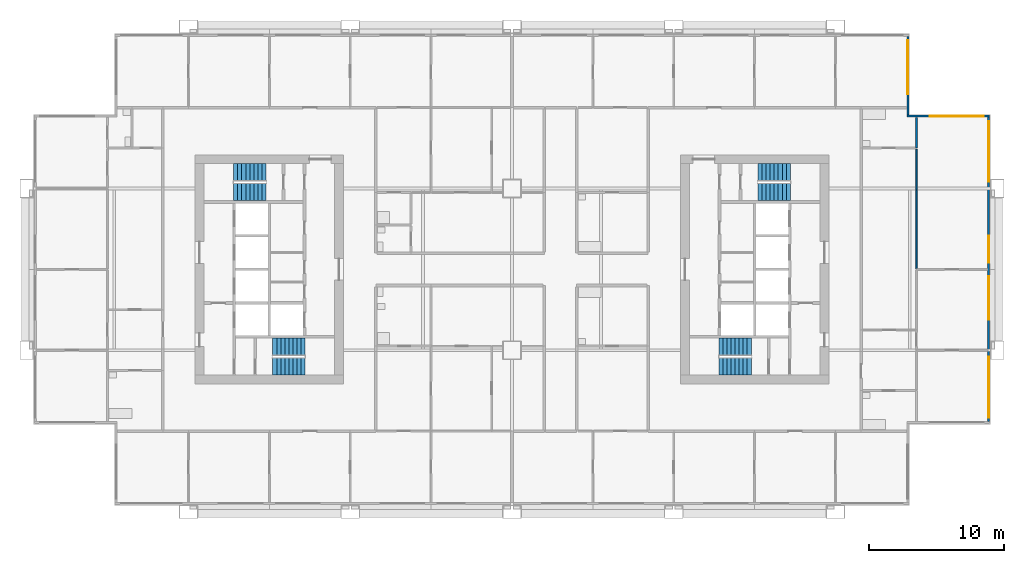
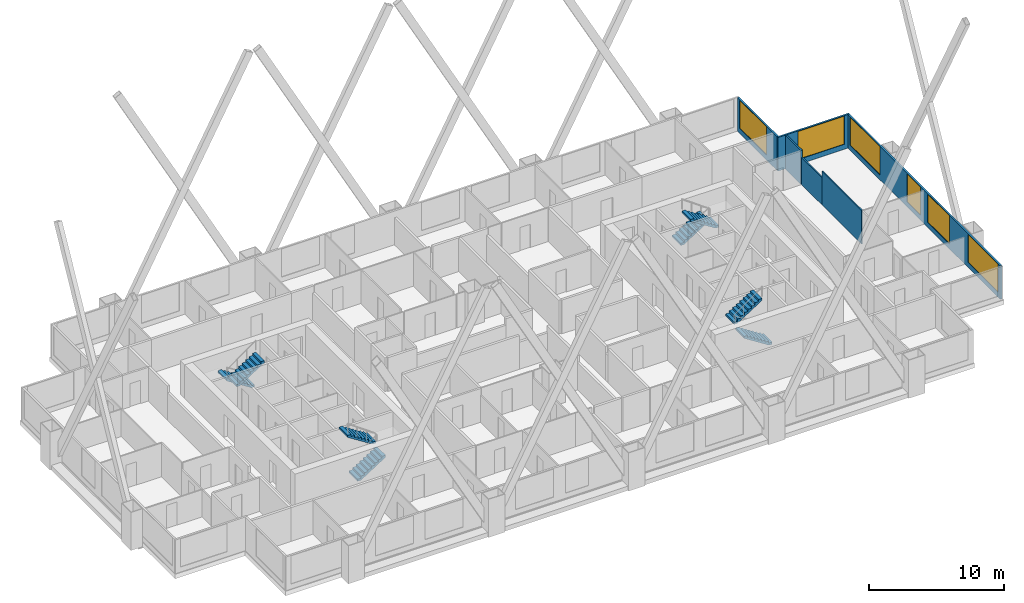
# One storey, part 9 of 11: 8 stair flights, 6 walls, 6 windows, 6 openings, 4 elements without a shape of their own.
"""IFC4 building model written with IfcOpenShell, lengths in metres."""

import ifcopenshell
import ifcopenshell.guid

model = None  # the IFC model being written
_history = None  # IfcOwnerHistory: only IFC2X3 demands one
_inside = {}  # id of a spatial element -> (the spatial element, [elements in it])
_under = {}  # id of a project, library or spatial element -> (it, [spatial elements below it])
_declared = {}  # id of a project -> (the project, [libraries it declares])
_typed = {}  # id of a type object -> (the type object, [elements of that type])
_made_of = {}  # id of a material, layer set ... -> (it, [elements and type objects made of it])


def new_model(schema):
    """Start an empty IFC model of exactly this schema.

    Asked for "IFC4X3", IfcOpenShell would pick the latest addendum, in which some entities
    have other attributes; the version numbers below select the first issue.
    IFC2X3 requires an IfcOwnerHistory on every rooted entity: one is made here for all.
    """
    global model, _history
    if schema == "IFC4X3":
        model = ifcopenshell.file(schema_version=(4, 3, 0, 0))
    else:
        model = ifcopenshell.file(schema=schema)
    _inside.clear()
    _under.clear()
    _declared.clear()
    _typed.clear()
    _made_of.clear()
    _history = None
    if model.schema == "IFC2X3":
        org = make("IfcOrganization", Name="unknown")
        user = make(
            "IfcPersonAndOrganization",
            ThePerson=make("IfcPerson", FamilyName="unknown"),
            TheOrganization=org,
        )
        app = make(
            "IfcApplication",
            ApplicationDeveloper=org,
            Version="unknown",
            ApplicationFullName="unknown",
            ApplicationIdentifier="unknown",
        )
        _history = make(
            "IfcOwnerHistory",
            OwningUser=user,
            OwningApplication=app,
            ChangeAction="ADDED",
            CreationDate=0,
        )
    return model


def make(cls, **values):
    """One entity of the class cls with the attributes given. An attribute that is None is left unset."""
    return model.create_entity(
        cls, **{name: value for name, value in values.items() if value is not None}
    )


def rooted(cls, **values):
    """An entity with a GlobalId (a new one), such as an element, a storey or a relation."""
    return make(cls, GlobalId=ifcopenshell.guid.new(), OwnerHistory=_history, **values)


def si_unit(unit_type, name, prefix=None):
    """IfcSIUnit, for example si_unit("LENGTHUNIT", "METRE", prefix="MILLI")."""
    return make("IfcSIUnit", UnitType=unit_type, Prefix=prefix, Name=name)


def assignment(units):
    """IfcUnitAssignment: the units of a project."""
    return None if units is None else make("IfcUnitAssignment", Units=units)


def point(xyz):
    """IfcCartesianPoint."""
    return None if xyz is None else make("IfcCartesianPoint", Coordinates=xyz)


def direction(xyz):
    """IfcDirection."""
    return None if xyz is None else make("IfcDirection", DirectionRatios=xyz)


def frame(location, z_axis=None, x_axis=None):
    """IfcAxis2Placement3D, a coordinate frame: its origin and axes. An axis left out is left unset."""
    return make(
        "IfcAxis2Placement3D",
        Location=point(location),
        Axis=direction(z_axis),
        RefDirection=direction(x_axis),
    )


def frame_2d(location, x_axis=None):
    """IfcAxis2Placement2D, a coordinate frame in the plane: its origin and x axis."""
    return make(
        "IfcAxis2Placement2D", Location=point(location), RefDirection=direction(x_axis)
    )


def origin():
    """The frame at (0, 0, 0) with its axes left unset."""
    return frame((0.0, 0.0, 0.0))


def place(relative_to, where):
    """IfcLocalPlacement: puts the frame where relative to a parent placement (None: the world)."""
    return make(
        "IfcLocalPlacement", PlacementRelTo=relative_to, RelativePlacement=where
    )


def context(
    kind, dimensions, precision=None, world=None, true_north=None, identifier=None
):
    """IfcGeometricRepresentationContext, for example the 3D "Model" context."""
    return make(
        "IfcGeometricRepresentationContext",
        ContextIdentifier=identifier,
        ContextType=kind,
        CoordinateSpaceDimension=dimensions,
        Precision=precision,
        WorldCoordinateSystem=world,
        TrueNorth=true_north,
    )


def subcontext(parent, identifier, kind, view, scale=None):
    """IfcGeometricRepresentationSubContext, for example "Body" below "Model"."""
    return make(
        "IfcGeometricRepresentationSubContext",
        ContextIdentifier=identifier,
        ContextType=kind,
        ParentContext=parent,
        TargetScale=scale,
        TargetView=view,
    )


def project(units=None, contexts=None):
    """IfcProject with its units and contexts."""
    return rooted(
        "IfcProject",
        Name="project",
        RepresentationContexts=contexts,
        UnitsInContext=assignment(units),
    )


def spatial(cls, under=None, at=None, **own):
    """A site, building, storey or space (cls), placed at a placement, below another one or the project."""
    s = rooted(cls, ObjectPlacement=at, **own)
    if under is not None:
        _under.setdefault(under.id(), (under, []))[1].append(s)
    return s


def polyline(points):
    """IfcPolyline through the points."""
    return make("IfcPolyline", Points=[point(p) for p in points])


def profile(cls, at=None, kind="AREA", **sizes):
    """A parametric profile (cls). Its sizes go by their IFC names, for example OverallWidth=200.0."""
    return make(cls, ProfileType=kind, Position=at, **sizes)


def rectangle(**sizes):
    """IfcRectangleProfileDef."""
    return profile("IfcRectangleProfileDef", **sizes)


def outline(outer, holes=None, kind="AREA"):
    """IfcArbitraryClosedProfileDef: a profile drawn as a closed curve; with holes, ...WithVoids."""
    if holes is None:
        return make("IfcArbitraryClosedProfileDef", ProfileType=kind, OuterCurve=outer)
    return make(
        "IfcArbitraryProfileDefWithVoids",
        ProfileType=kind,
        OuterCurve=outer,
        InnerCurves=holes,
    )


def extrude(swept, where, along, depth):
    """IfcExtrudedAreaSolid: the profile swept, set in the frame where, extruded along a direction by depth."""
    return make(
        "IfcExtrudedAreaSolid",
        SweptArea=swept,
        Position=where,
        ExtrudedDirection=direction(along),
        Depth=depth,
    )


def shape(context_of_items, identifier, shape_type, items):
    """IfcShapeRepresentation: the items that make up one representation, for example the "Body"."""
    return make(
        "IfcShapeRepresentation",
        ContextOfItems=context_of_items,
        RepresentationIdentifier=identifier,
        RepresentationType=shape_type,
        Items=items,
    )


def material(Name=None, Category=None):
    """IfcMaterial."""
    return make("IfcMaterial", Name=Name, Category=Category)


def layer(
    of_material, thickness, ventilated=None, Name=None, Category=None, Priority=None
):
    """IfcMaterialLayer: one layer of a wall or slab, of a material (None: an air gap)."""
    return make(
        "IfcMaterialLayer",
        Material=of_material,
        LayerThickness=thickness,
        IsVentilated=ventilated,
        Name=Name,
        Category=Category,
        Priority=Priority,
    )


def layer_set(layers, Name=None):
    """IfcMaterialLayerSet."""
    return make("IfcMaterialLayerSet", MaterialLayers=layers, LayerSetName=Name)


def made_of(thing, what):
    """Note that an element or type object is made of a material, layer set ...; save() writes the relation."""
    if what is not None:
        _made_of.setdefault(what.id(), (what, []))[1].append(thing)
    return thing


def type_object(cls, material=None, **own):
    """A type object (cls), such as IfcWallType, which elements share."""
    return made_of(rooted(cls, **own), material)


def element(
    cls,
    number,
    at=None,
    inside=None,
    cuts=None,
    type_object=None,
    material=None,
    context=None,
    identifier="Body",
    shape_type=None,
    held_by="IfcProductDefinitionShape",
    body=None,
    shapes=None,
    **own,
):
    """One element of the class cls, such as IfcWall. Its Tag is "e" and its number.

    at: its placement. inside: the storey or other place that contains it. cuts: it is an
    opening in that element (IfcRelVoidsElement). A single representation is given by context,
    identifier, shape_type and body (its items); several are given by shapes. held_by: the class
    of the entity that holds the representations. save() writes the other relations.
    """
    e = rooted(cls, Tag="e%d" % number, ObjectPlacement=at, **own)
    if body is not None:
        shapes = [shape(context, identifier, shape_type, body)]
    if shapes is not None:
        e.Representation = make(held_by, Representations=shapes)
    if inside is not None:
        _inside.setdefault(inside.id(), (inside, []))[1].append(e)
    if cuts is not None:
        rooted(
            "IfcRelVoidsElement", RelatingBuildingElement=cuts, RelatedOpeningElement=e
        )
    if type_object is not None:
        _typed.setdefault(type_object.id(), (type_object, []))[1].append(e)
    return made_of(e, material)


def fill(opening, filler):
    """IfcRelFillsElement: the door or window that sits in an opening."""
    return rooted(
        "IfcRelFillsElement",
        RelatingOpeningElement=opening,
        RelatedBuildingElement=filler,
    )


def aggregate(whole, parts):
    """IfcRelAggregates: a whole, such as a stair, and the parts it consists of."""
    return rooted("IfcRelAggregates", RelatingObject=whole, RelatedObjects=parts)


def save(model, path):
    """Write the relations noted so far, then the file.

    IfcRelAggregates (storeys below a building ...), IfcRelContainedInSpatialStructure (elements
    in a storey), IfcRelDefinesByType, IfcRelAssociatesMaterial and IfcRelDeclares: one each for
    every whole, place, type object, material and project.
    """
    for whole, parts in _under.values():
        aggregate(whole, parts)
    for where, things in _inside.values():
        rooted(
            "IfcRelContainedInSpatialStructure",
            RelatedElements=things,
            RelatingStructure=where,
        )
    for kind, things in _typed.values():
        rooted("IfcRelDefinesByType", RelatedObjects=things, RelatingType=kind)
    for what, things in _made_of.values():
        rooted("IfcRelAssociatesMaterial", RelatedObjects=things, RelatingMaterial=what)
    for by, libraries in _declared.values():
        rooted("IfcRelDeclares", RelatingContext=by, RelatedDefinitions=libraries)
    model.write(path)


model = new_model("IFC4")

# Units and contexts
model_context = context("Model", 3, precision=1e-05, world=origin(), true_north=direction((0.0, 1.0)))
body_context = subcontext(model_context, "Body", "Model", "MODEL_VIEW")
ifc_project = project(units=[si_unit("LENGTHUNIT", "METRE"), si_unit("AREAUNIT", "SQUARE_METRE"), si_unit("VOLUMEUNIT", "CUBIC_METRE"), si_unit("PLANEANGLEUNIT", "RADIAN"), si_unit("MASSUNIT", "GRAM", prefix="KILO")], contexts=[model_context])

# Site, building, storey
site_placement = place(None, origin())
site = spatial("IfcSite", under=ifc_project, at=site_placement, CompositionType="ELEMENT")
building_placement = place(site_placement, origin())
building = spatial("IfcBuilding", under=site, at=building_placement, Name="Kitamizu Gate Tower and Museum", CompositionType="ELEMENT")
storey_placement = place(building_placement, frame((0.0, 0.0, 131.10009765625)))
storey = spatial("IfcBuildingStorey", under=building, at=storey_placement, Name="L34", CompositionType="ELEMENT", Elevation=131.10009765625)

# Walls
ifc_material_1 = material(Name="Gypsum board on galvanised stud")
ifc_layer_1 = layer(ifc_material_1, 0.10009765625)
ifc_layer_set_1 = layer_set([ifc_layer_1], Name="Gypsum board on galvanised stud")
wall_type_1 = type_object("IfcWallType", Name="Partition 100 NOT RATED", PredefinedType="PARTITIONING", material=ifc_layer_set_1)
wall_1_placement = place(storey_placement, frame((66.0, 38.925048828125, 0.0), z_axis=(0.0, 0.0, 1.0), x_axis=(0.0, -1.0, 0.0)))
element("IfcWall", 1, at=wall_1_placement, inside=storey, type_object=wall_type_1, Name="Partition L34-131", PredefinedType="PARTITIONING", context=body_context, shape_type="SweptSolid", body=[
    extrude(rectangle(XDim=3.025146484375, YDim=0.10009765625, at=frame_2d((1.5126953125, 0.0))), origin(), (0.0, 0.0, 1.0), 2.449951171875),
])
wall_2_placement = place(storey_placement, frame((66.0, 35.89990234375, 0.0), z_axis=(0.0, 0.0, 1.0), x_axis=(0.0, -1.0, 0.0)))
element("IfcWall", 2, at=wall_2_placement, inside=storey, type_object=wall_type_1, Name="Partition L34-132", PredefinedType="PARTITIONING", context=body_context, shape_type="SweptSolid", body=[
    extrude(rectangle(XDim=5.849853515625, YDim=0.10009765625, at=frame_2d((2.9248046875, 0.0))), origin(), (0.0, 0.0, 1.0), 3.0498046875),
])
ifc_material_2 = material(Name="Gypsum board on galvanised stud")
ifc_layer_2 = layer(ifc_material_2, 0.14990234375)
ifc_layer_set_2 = layer_set([ifc_layer_2], Name="Gypsum board on galvanised stud")
wall_type_2 = type_object("IfcWallType", Name="Partition 150", PredefinedType="PARTITIONING", material=ifc_layer_set_2)
wall_3_placement = place(storey_placement, frame((66.0, 41.280029296875, 0.0), z_axis=(0.0, 0.0, 1.0), x_axis=(0.0, -1.0, 0.0)))
element("IfcWall", 3, at=wall_3_placement, inside=storey, type_object=wall_type_2, Name="Partition L34-133", PredefinedType="PARTITIONING", context=body_context, shape_type="SweptSolid", body=[
    extrude(rectangle(XDim=2.280029296875, YDim=0.14990234375, at=frame_2d((1.14013671875, 0.0))), origin(), (0.0, 0.0, 1.0), 3.0498046875),
])

# Wall, openings, windows
ifc_material_3 = material(Name="Bronze anodised aluminium frame with insulated spandrel and tinted glass", Category="aluminium")
ifc_layer_3 = layer(ifc_material_3, 0.14990234375)
ifc_layer_set_3 = layer_set([ifc_layer_3], Name="Bronze anodised aluminium frame with insulated spandrel and tinted glass")
wall_type_3 = type_object("IfcWallType", Name="WINDOW WALL 150 BRONZE FRAME EI 30", PredefinedType="ELEMENTEDWALL", material=ifc_layer_set_3)
wall_4_placement = place(storey_placement, frame((71.364990234375, 18.7099609375, 0.0), z_axis=(0.0, 0.0, 1.0), x_axis=(0.0, 1.0, 0.0)))
wall_4 = element("IfcWall", 4, at=wall_4_placement, inside=storey, type_object=wall_type_3, Name="Window wall east L34", PredefinedType="ELEMENTEDWALL", context=body_context, shape_type="SweptSolid", body=[
    extrude(rectangle(XDim=22.580078125, YDim=0.14990234375, at=frame_2d((11.2900390625, 0.0))), origin(), (0.0, 0.0, 1.0), 3.0498046875),
])
opening_1_placement = place(wall_4_placement, frame((0.2900390625, 0.0, 0.449951171875)))
opening_1 = element("IfcOpeningElement", 5, at=opening_1_placement, cuts=wall_4, Name="Opening W15", PredefinedType="OPENING", context=body_context, shape_type="SweptSolid", body=[
    extrude(rectangle(XDim=4.5, YDim=2.550048828125, at=frame_2d((2.25, 1.27490234375))), frame((0.0, 0.0849609375, 0.0), z_axis=(0.0, -1.0, 0.0), x_axis=(1.0, 0.0, 0.0)), (0.0, 0.0, 1.0), 0.169921875),
])
opening_2_placement = place(wall_4_placement, frame((7.5400390625, 0.0, 0.449951171875)))
opening_2 = element("IfcOpeningElement", 6, at=opening_2_placement, cuts=wall_4, Name="Opening W34", PredefinedType="OPENING", context=body_context, shape_type="SweptSolid", body=[
    extrude(rectangle(XDim=3.25, YDim=2.550048828125, at=frame_2d((1.625, 1.27490234375))), frame((0.0, 0.0849609375, 0.0), z_axis=(0.0, -1.0, 0.0), x_axis=(1.0, 0.0, 0.0)), (0.0, 0.0, 1.0), 0.169921875),
])
opening_3_placement = place(wall_4_placement, frame((11.7900390625, 0.0, 0.449951171875)))
opening_3 = element("IfcOpeningElement", 7, at=opening_3_placement, cuts=wall_4, Name="Opening W2", PredefinedType="OPENING", context=body_context, shape_type="SweptSolid", body=[
    extrude(rectangle(XDim=2.0, YDim=2.550048828125, at=frame_2d((1.0, 1.27490234375))), frame((0.0, 0.0849609375, 0.0), z_axis=(0.0, -1.0, 0.0), x_axis=(1.0, 0.0, 0.0)), (0.0, 0.0, 1.0), 0.169921875),
])
opening_4_placement = place(wall_4_placement, frame((17.7900390625, 0.0, 0.449951171875)))
opening_4 = element("IfcOpeningElement", 8, at=opening_4_placement, cuts=wall_4, Name="Opening W15", PredefinedType="OPENING", context=body_context, shape_type="SweptSolid", body=[
    extrude(rectangle(XDim=4.5, YDim=2.550048828125, at=frame_2d((2.25, 1.27490234375))), frame((0.0, 0.0849609375, 0.0), z_axis=(0.0, -1.0, 0.0), x_axis=(1.0, 0.0, 0.0)), (0.0, 0.0, 1.0), 0.169921875),
])
ifc_material_4 = material(Name="Bronze anodised aluminium frame, tinted triple glazing", Category="aluminium")
window_type_1 = type_object("IfcWindowType", Name="WINDOW 2000 x 2550 SILL 450", PartitioningType="SINGLE_PANEL", PredefinedType="WINDOW", material=ifc_material_4)
window_1_placement = place(opening_3_placement, origin())
window_1 = element("IfcWindow", 9, at=window_1_placement, inside=storey, type_object=window_type_1, Name="Window W2 L34", OverallHeight=2.550048828125, OverallWidth=2.0, PartitioningType="SINGLE_PANEL", PredefinedType="WINDOW", context=body_context, shape_type="SweptSolid", body=[
    extrude(rectangle(XDim=2.0, YDim=2.550048828125, at=frame_2d((1.0, 1.27490234375))), frame((0.0, 0.030029296875, 0.0), z_axis=(0.0, -1.0, 0.0), x_axis=(1.0, 0.0, 0.0)), (0.0, 0.0, 1.0), 0.06005859375),
])
fill(opening_3, window_1)
ifc_material_5 = material(Name="Bronze anodised aluminium frame, tinted triple glazing", Category="aluminium")
window_type_2 = type_object("IfcWindowType", Name="WINDOW 3250 x 2550 SILL 450", PartitioningType="SINGLE_PANEL", PredefinedType="WINDOW", material=ifc_material_5)
window_2_placement = place(opening_2_placement, origin())
window_2 = element("IfcWindow", 10, at=window_2_placement, inside=storey, type_object=window_type_2, Name="Window W34 L34", OverallHeight=2.550048828125, OverallWidth=3.25, PartitioningType="SINGLE_PANEL", PredefinedType="WINDOW", context=body_context, shape_type="SweptSolid", body=[
    extrude(rectangle(XDim=3.25, YDim=2.550048828125, at=frame_2d((1.625, 1.27490234375))), frame((0.0, 0.030029296875, 0.0), z_axis=(0.0, -1.0, 0.0), x_axis=(1.0, 0.0, 0.0)), (0.0, 0.0, 1.0), 0.06005859375),
])
fill(opening_2, window_2)
ifc_material_6 = material(Name="Bronze anodised aluminium frame, tinted triple glazing", Category="aluminium")
window_type_3 = type_object("IfcWindowType", Name="WINDOW 4500 x 2550 SILL 450", PartitioningType="SINGLE_PANEL", PredefinedType="WINDOW", material=ifc_material_6)
window_3_placement = place(opening_1_placement, origin())
window_3 = element("IfcWindow", 11, at=window_3_placement, inside=storey, type_object=window_type_3, Name="Window W15 L34", OverallHeight=2.550048828125, OverallWidth=4.5, PartitioningType="SINGLE_PANEL", PredefinedType="WINDOW", context=body_context, shape_type="SweptSolid", body=[
    extrude(rectangle(XDim=4.5, YDim=2.550048828125, at=frame_2d((2.25, 1.27490234375))), frame((0.0, 0.030029296875, 0.0), z_axis=(0.0, -1.0, 0.0), x_axis=(1.0, 0.0, 0.0)), (0.0, 0.0, 1.0), 0.06005859375),
])
fill(opening_1, window_3)
window_4_placement = place(opening_4_placement, origin())
window_4 = element("IfcWindow", 12, at=window_4_placement, inside=storey, type_object=window_type_3, Name="Window W15 L34", OverallHeight=2.550048828125, OverallWidth=4.5, PartitioningType="SINGLE_PANEL", PredefinedType="WINDOW", context=body_context, shape_type="SweptSolid", body=[
    extrude(rectangle(XDim=4.5, YDim=2.550048828125, at=frame_2d((2.25, 1.27490234375))), frame((0.0, 0.030029296875, 0.0), z_axis=(0.0, -1.0, 0.0), x_axis=(1.0, 0.0, 0.0)), (0.0, 0.0, 1.0), 0.06005859375),
])
fill(opening_4, window_4)

# Wall, opening, window
wall_5_placement = place(storey_placement, frame((65.2900390625, 41.364990234375, 0.0), z_axis=(0.0, 0.0, 1.0), x_axis=(1.0, 0.0, 0.0)))
wall_5 = element("IfcWall", 13, at=wall_5_placement, inside=storey, type_object=wall_type_3, Name="Window wall north L34", PredefinedType="ELEMENTEDWALL", context=body_context, shape_type="SweptSolid", body=[
    extrude(rectangle(XDim=6.14990234375, YDim=0.14990234375, at=frame_2d((3.074951171875, 0.0))), origin(), (0.0, 0.0, 1.0), 3.0498046875),
])
opening_5_placement = place(wall_5_placement, frame((1.7099609375, 0.0, 0.449951171875)))
opening_5 = element("IfcOpeningElement", 14, at=opening_5_placement, cuts=wall_5, Name="Opening W16", PredefinedType="OPENING", context=body_context, shape_type="SweptSolid", body=[
    extrude(rectangle(XDim=4.0, YDim=2.550048828125, at=frame_2d((2.0, 1.27490234375))), frame((0.0, 0.0849609375, 0.0), z_axis=(0.0, -1.0, 0.0), x_axis=(1.0, 0.0, 0.0)), (0.0, 0.0, 1.0), 0.169921875),
])
ifc_material_7 = material(Name="Bronze anodised aluminium frame, tinted triple glazing", Category="aluminium")
window_type_4 = type_object("IfcWindowType", Name="WINDOW 4000 x 2550 SILL 450", PartitioningType="SINGLE_PANEL", PredefinedType="WINDOW", material=ifc_material_7)
window_5_placement = place(opening_5_placement, origin())
window_5 = element("IfcWindow", 15, at=window_5_placement, inside=storey, type_object=window_type_4, Name="Window W16 L34", OverallHeight=2.550048828125, OverallWidth=4.0, PartitioningType="SINGLE_PANEL", PredefinedType="WINDOW", context=body_context, shape_type="SweptSolid", body=[
    extrude(rectangle(XDim=4.0, YDim=2.550048828125, at=frame_2d((2.0, 1.27490234375))), frame((0.0, 0.030029296875, 0.0), z_axis=(0.0, -1.0, 0.0), x_axis=(1.0, 0.0, 0.0)), (0.0, 0.0, 1.0), 0.06005859375),
])
fill(opening_5, window_5)

wall_6_placement = place(storey_placement, frame((65.364990234375, 41.43994140625, 0.0), z_axis=(0.0, 0.0, 1.0), x_axis=(0.0, 1.0, 0.0)))
wall_6 = element("IfcWall", 16, at=wall_6_placement, inside=storey, type_object=wall_type_3, Name="Window wall east L34", PredefinedType="ELEMENTEDWALL", context=body_context, shape_type="SweptSolid", body=[
    extrude(rectangle(XDim=5.85009765625, YDim=0.14990234375, at=frame_2d((2.925048828125, 0.0))), origin(), (0.0, 0.0, 1.0), 3.0498046875),
])
opening_6_placement = place(wall_6_placement, frame((1.56005859375, 0.0, 0.449951171875)))
opening_6 = element("IfcOpeningElement", 17, at=opening_6_placement, cuts=wall_6, Name="Opening W16", PredefinedType="OPENING", context=body_context, shape_type="SweptSolid", body=[
    extrude(rectangle(XDim=4.0, YDim=2.550048828125, at=frame_2d((2.0, 1.27490234375))), frame((0.0, 0.0849609375, 0.0), z_axis=(0.0, -1.0, 0.0), x_axis=(1.0, 0.0, 0.0)), (0.0, 0.0, 1.0), 0.169921875),
])
window_6_placement = place(opening_6_placement, origin())
window_6 = element("IfcWindow", 18, at=window_6_placement, inside=storey, type_object=window_type_4, Name="Window W16 L34", OverallHeight=2.550048828125, OverallWidth=4.0, PartitioningType="SINGLE_PANEL", PredefinedType="WINDOW", context=body_context, shape_type="SweptSolid", body=[
    extrude(rectangle(XDim=4.0, YDim=2.550048828125, at=frame_2d((2.0, 1.27490234375))), frame((0.0, 0.030029296875, 0.0), z_axis=(0.0, -1.0, 0.0), x_axis=(1.0, 0.0, 0.0)), (0.0, 0.0, 1.0), 0.06005859375),
])
fill(opening_6, window_6)

# Stair, stair flights
ifc_material_8 = material(Name="Concrete Fc42", Category="concrete")
stair_type = type_object("IfcStairType", Name="Exit stair 1275 wide 192 rise 300 going", PredefinedType="HALF_TURN_STAIR", material=ifc_material_8)
stair_1_placement = place(storey_placement, origin())
stair_1 = element("IfcStair", 19, at=stair_1_placement, inside=storey, type_object=stair_type, Name="Exit stair ST1", PredefinedType="HALF_TURN_STAIR")
ifc_material_9 = material(Name="Concrete Fc42", Category="concrete")
stair_flight_type = type_object("IfcStairFlightType", Name="Stair flight 1275 wide 192 rise 300 going", PredefinedType="STRAIGHT", material=ifc_material_9)
stair_flight_1_placement = place(storey_placement, frame((18.25, 22.78759765625, 0.0), z_axis=(0.0, 0.0, 1.0), x_axis=(1.0, 0.0, 0.0)))
stair_flight_1 = element("IfcStairFlight", 20, at=stair_flight_1_placement, type_object=stair_flight_type, Name="ST1 flight 1", NumberOfRisers=9, NumberOfTreads=8, PredefinedType="STRAIGHT", RiserHeight=0.191666667, TreadLength=0.3, context=body_context, shape_type="SweptSolid", body=[
    extrude(outline(polyline([(0.0, 0.0), (0.0, 0.191650390625), (0.300048828125, 0.191650390625), (0.300048828125, 0.38330078125), (0.60009765625, 0.38330078125), (0.60009765625, 0.574951171875), (0.89990234375, 0.574951171875), (0.89990234375, 0.7666015625), (1.199951171875, 0.7666015625), (1.199951171875, 0.958251953125), (1.5, 0.958251953125), (1.5, 1.14990234375), (1.800048828125, 1.14990234375), (1.800048828125, 1.341552734375), (2.10009765625, 1.341552734375), (2.10009765625, 1.533447265625), (2.39990234375, 1.533447265625), (2.39990234375, 1.72509765625), (2.39990234375, 1.35546875), (0.2783203125, 0.0), (0.0, 0.0)])), frame((0.0, 0.637451171875, 0.0), z_axis=(0.0, -1.0, 0.0), x_axis=(1.0, 0.0, 0.0)), (0.0, 0.0, 1.0), 1.27490234375),
])
stair_flight_2_placement = place(storey_placement, frame((20.64990234375, 24.262451171875, 1.724853515625), z_axis=(0.0, 0.0, 1.0), x_axis=(-1.0, 0.0, 0.0)))
stair_flight_2 = element("IfcStairFlight", 21, at=stair_flight_2_placement, type_object=stair_flight_type, Name="ST1 flight 2", NumberOfRisers=9, NumberOfTreads=8, PredefinedType="STRAIGHT", RiserHeight=0.191666667, TreadLength=0.3, context=body_context, shape_type="SweptSolid", body=[
    extrude(outline(polyline([(0.0, 0.0), (0.0, 0.191650390625), (0.300048828125, 0.191650390625), (0.300048828125, 0.38330078125), (0.60009765625, 0.38330078125), (0.60009765625, 0.574951171875), (0.89990234375, 0.574951171875), (0.89990234375, 0.7666015625), (1.199951171875, 0.7666015625), (1.199951171875, 0.958251953125), (1.5, 0.958251953125), (1.5, 1.14990234375), (1.800048828125, 1.14990234375), (1.800048828125, 1.341552734375), (2.10009765625, 1.341552734375), (2.10009765625, 1.533447265625), (2.39990234375, 1.533447265625), (2.39990234375, 1.72509765625), (2.39990234375, 1.35546875), (0.2783203125, 0.0), (0.0, 0.0)])), frame((0.0, 0.637451171875, 0.0), z_axis=(0.0, -1.0, 0.0), x_axis=(1.0, 0.0, 0.0)), (0.0, 0.0, 1.0), 1.27490234375),
])
aggregate(stair_1, [stair_flight_1, stair_flight_2])

stair_2_placement = place(storey_placement, origin())
stair_2 = element("IfcStair", 22, at=stair_2_placement, inside=storey, type_object=stair_type, Name="Exit stair ST2", PredefinedType="HALF_TURN_STAIR")
stair_flight_3_placement = place(storey_placement, frame((17.75, 37.21240234375, 0.0), z_axis=(0.0, 0.0, 1.0), x_axis=(-1.0, 0.0, 0.0)))
stair_flight_3 = element("IfcStairFlight", 23, at=stair_flight_3_placement, type_object=stair_flight_type, Name="ST2 flight 1", NumberOfRisers=9, NumberOfTreads=8, PredefinedType="STRAIGHT", RiserHeight=0.191666667, TreadLength=0.3, context=body_context, shape_type="SweptSolid", body=[
    extrude(outline(polyline([(0.0, 0.0), (0.0, 0.191650390625), (0.300048828125, 0.191650390625), (0.300048828125, 0.38330078125), (0.60009765625, 0.38330078125), (0.60009765625, 0.574951171875), (0.89990234375, 0.574951171875), (0.89990234375, 0.7666015625), (1.199951171875, 0.7666015625), (1.199951171875, 0.958251953125), (1.5, 0.958251953125), (1.5, 1.14990234375), (1.800048828125, 1.14990234375), (1.800048828125, 1.341552734375), (2.10009765625, 1.341552734375), (2.10009765625, 1.533447265625), (2.39990234375, 1.533447265625), (2.39990234375, 1.72509765625), (2.39990234375, 1.35546875), (0.2783203125, 0.0), (0.0, 0.0)])), frame((0.0, 0.637451171875, 0.0), z_axis=(0.0, -1.0, 0.0), x_axis=(1.0, 0.0, 0.0)), (0.0, 0.0, 1.0), 1.27490234375),
])
stair_flight_4_placement = place(storey_placement, frame((15.35009765625, 35.737548828125, 1.724853515625), z_axis=(0.0, 0.0, 1.0), x_axis=(1.0, 0.0, 0.0)))
stair_flight_4 = element("IfcStairFlight", 24, at=stair_flight_4_placement, type_object=stair_flight_type, Name="ST2 flight 2", NumberOfRisers=9, NumberOfTreads=8, PredefinedType="STRAIGHT", RiserHeight=0.191666667, TreadLength=0.3, context=body_context, shape_type="SweptSolid", body=[
    extrude(outline(polyline([(0.0, 0.0), (0.0, 0.191650390625), (0.300048828125, 0.191650390625), (0.300048828125, 0.38330078125), (0.60009765625, 0.38330078125), (0.60009765625, 0.574951171875), (0.89990234375, 0.574951171875), (0.89990234375, 0.7666015625), (1.199951171875, 0.7666015625), (1.199951171875, 0.958251953125), (1.5, 0.958251953125), (1.5, 1.14990234375), (1.800048828125, 1.14990234375), (1.800048828125, 1.341552734375), (2.10009765625, 1.341552734375), (2.10009765625, 1.533447265625), (2.39990234375, 1.533447265625), (2.39990234375, 1.72509765625), (2.39990234375, 1.35546875), (0.2783203125, 0.0), (0.0, 0.0)])), frame((0.0, 0.637451171875, 0.0), z_axis=(0.0, -1.0, 0.0), x_axis=(1.0, 0.0, 0.0)), (0.0, 0.0, 1.0), 1.27490234375),
])
aggregate(stair_2, [stair_flight_3, stair_flight_4])

stair_3_placement = place(storey_placement, origin())
stair_3 = element("IfcStair", 25, at=stair_3_placement, inside=storey, type_object=stair_type, Name="Exit stair ST3", PredefinedType="HALF_TURN_STAIR")
stair_flight_5_placement = place(storey_placement, frame((53.75, 22.78759765625, 0.0), z_axis=(0.0, 0.0, 1.0), x_axis=(-1.0, 0.0, 0.0)))
stair_flight_5 = element("IfcStairFlight", 26, at=stair_flight_5_placement, type_object=stair_flight_type, Name="ST3 flight 1", NumberOfRisers=9, NumberOfTreads=8, PredefinedType="STRAIGHT", RiserHeight=0.191666667, TreadLength=0.3, context=body_context, shape_type="SweptSolid", body=[
    extrude(outline(polyline([(0.0, 0.0), (0.0, 0.191650390625), (0.300048828125, 0.191650390625), (0.300048828125, 0.38330078125), (0.60009765625, 0.38330078125), (0.60009765625, 0.574951171875), (0.89990234375, 0.574951171875), (0.89990234375, 0.7666015625), (1.199951171875, 0.7666015625), (1.199951171875, 0.958251953125), (1.5, 0.958251953125), (1.5, 1.14990234375), (1.800048828125, 1.14990234375), (1.800048828125, 1.341552734375), (2.10009765625, 1.341552734375), (2.10009765625, 1.533447265625), (2.39990234375, 1.533447265625), (2.39990234375, 1.72509765625), (2.39990234375, 1.35546875), (0.2783203125, 0.0), (0.0, 0.0)])), frame((0.0, 0.637451171875, 0.0), z_axis=(0.0, -1.0, 0.0), x_axis=(1.0, 0.0, 0.0)), (0.0, 0.0, 1.0), 1.27490234375),
])
stair_flight_6_placement = place(storey_placement, frame((51.35009765625, 24.262451171875, 1.724853515625), z_axis=(0.0, 0.0, 1.0), x_axis=(1.0, 0.0, 0.0)))
stair_flight_6 = element("IfcStairFlight", 27, at=stair_flight_6_placement, type_object=stair_flight_type, Name="ST3 flight 2", NumberOfRisers=9, NumberOfTreads=8, PredefinedType="STRAIGHT", RiserHeight=0.191666667, TreadLength=0.3, context=body_context, shape_type="SweptSolid", body=[
    extrude(outline(polyline([(0.0, 0.0), (0.0, 0.191650390625), (0.300048828125, 0.191650390625), (0.300048828125, 0.38330078125), (0.60009765625, 0.38330078125), (0.60009765625, 0.574951171875), (0.89990234375, 0.574951171875), (0.89990234375, 0.7666015625), (1.199951171875, 0.7666015625), (1.199951171875, 0.958251953125), (1.5, 0.958251953125), (1.5, 1.14990234375), (1.800048828125, 1.14990234375), (1.800048828125, 1.341552734375), (2.10009765625, 1.341552734375), (2.10009765625, 1.533447265625), (2.39990234375, 1.533447265625), (2.39990234375, 1.72509765625), (2.39990234375, 1.35546875), (0.2783203125, 0.0), (0.0, 0.0)])), frame((0.0, 0.637451171875, 0.0), z_axis=(0.0, -1.0, 0.0), x_axis=(1.0, 0.0, 0.0)), (0.0, 0.0, 1.0), 1.27490234375),
])
aggregate(stair_3, [stair_flight_5, stair_flight_6])

stair_4_placement = place(storey_placement, origin())
stair_4 = element("IfcStair", 28, at=stair_4_placement, inside=storey, type_object=stair_type, Name="Exit stair ST4", PredefinedType="HALF_TURN_STAIR")
stair_flight_7_placement = place(storey_placement, frame((54.25, 37.21240234375, 0.0), z_axis=(0.0, 0.0, 1.0), x_axis=(1.0, 0.0, 0.0)))
stair_flight_7 = element("IfcStairFlight", 29, at=stair_flight_7_placement, type_object=stair_flight_type, Name="ST4 flight 1", NumberOfRisers=9, NumberOfTreads=8, PredefinedType="STRAIGHT", RiserHeight=0.191666667, TreadLength=0.3, context=body_context, shape_type="SweptSolid", body=[
    extrude(outline(polyline([(0.0, 0.0), (0.0, 0.191650390625), (0.300048828125, 0.191650390625), (0.300048828125, 0.38330078125), (0.60009765625, 0.38330078125), (0.60009765625, 0.574951171875), (0.89990234375, 0.574951171875), (0.89990234375, 0.7666015625), (1.199951171875, 0.7666015625), (1.199951171875, 0.958251953125), (1.5, 0.958251953125), (1.5, 1.14990234375), (1.800048828125, 1.14990234375), (1.800048828125, 1.341552734375), (2.10009765625, 1.341552734375), (2.10009765625, 1.533447265625), (2.39990234375, 1.533447265625), (2.39990234375, 1.72509765625), (2.39990234375, 1.35546875), (0.2783203125, 0.0), (0.0, 0.0)])), frame((0.0, 0.637451171875, 0.0), z_axis=(0.0, -1.0, 0.0), x_axis=(1.0, 0.0, 0.0)), (0.0, 0.0, 1.0), 1.27490234375),
])
stair_flight_8_placement = place(storey_placement, frame((56.64990234375, 35.737548828125, 1.724853515625), z_axis=(0.0, 0.0, 1.0), x_axis=(-1.0, 0.0, 0.0)))
stair_flight_8 = element("IfcStairFlight", 30, at=stair_flight_8_placement, type_object=stair_flight_type, Name="ST4 flight 2", NumberOfRisers=9, NumberOfTreads=8, PredefinedType="STRAIGHT", RiserHeight=0.191666667, TreadLength=0.3, context=body_context, shape_type="SweptSolid", body=[
    extrude(outline(polyline([(0.0, 0.0), (0.0, 0.191650390625), (0.300048828125, 0.191650390625), (0.300048828125, 0.38330078125), (0.60009765625, 0.38330078125), (0.60009765625, 0.574951171875), (0.89990234375, 0.574951171875), (0.89990234375, 0.7666015625), (1.199951171875, 0.7666015625), (1.199951171875, 0.958251953125), (1.5, 0.958251953125), (1.5, 1.14990234375), (1.800048828125, 1.14990234375), (1.800048828125, 1.341552734375), (2.10009765625, 1.341552734375), (2.10009765625, 1.533447265625), (2.39990234375, 1.533447265625), (2.39990234375, 1.72509765625), (2.39990234375, 1.35546875), (0.2783203125, 0.0), (0.0, 0.0)])), frame((0.0, 0.637451171875, 0.0), z_axis=(0.0, -1.0, 0.0), x_axis=(1.0, 0.0, 0.0)), (0.0, 0.0, 1.0), 1.27490234375),
])
aggregate(stair_4, [stair_flight_7, stair_flight_8])

save(model, "model.ifc")
